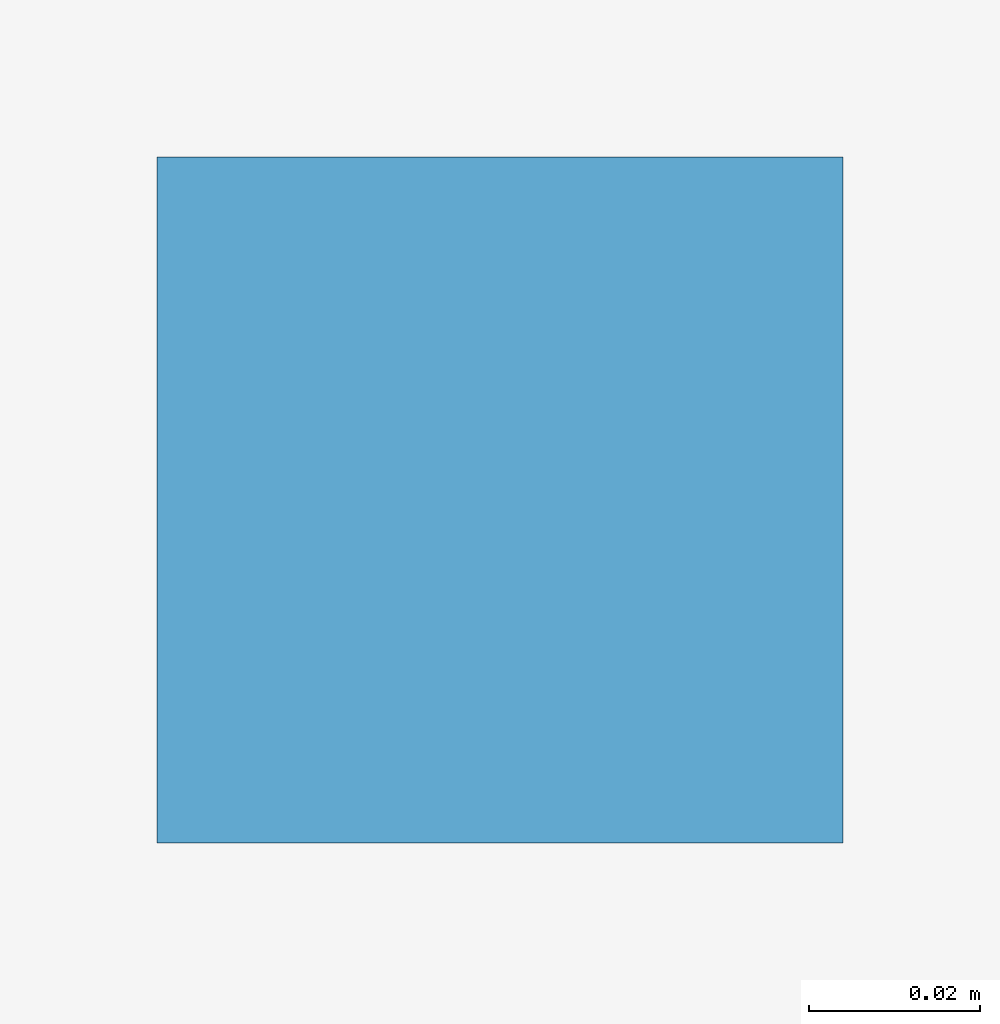
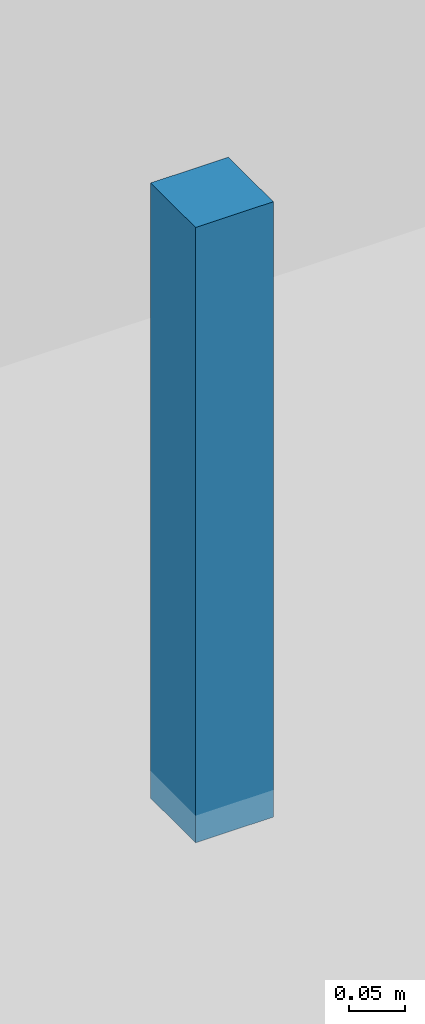
# One storey, part 12 of 17: 1 discrete accessory.
"""IFC4 building model written with IfcOpenShell, lengths in metres."""

from ifc_helpers import new_model, si_unit, direction, frame, origin, origin_2d, place, context, subcontext, project, spatial, rectangle, extrude, source, transform, mapped, material, type_object, element, save


model = new_model("IFC4")

# Units and contexts
model_context = context("Model", 3, precision=1e-05, world=origin(), true_north=direction((0.0, 1.0)))
body_context = subcontext(model_context, "Body", "Model", "MODEL_VIEW")
ifc_project = project(units=[si_unit("LENGTHUNIT", "METRE"), si_unit("AREAUNIT", "SQUARE_METRE"), si_unit("VOLUMEUNIT", "CUBIC_METRE"), si_unit("PLANEANGLEUNIT", "RADIAN"), si_unit("MASSUNIT", "GRAM", prefix="KILO")], contexts=[model_context])

# Site, building, storey
site_placement = place(None, origin())
site = spatial("IfcSite", under=ifc_project, at=site_placement, CompositionType="ELEMENT")
building_placement = place(site_placement, origin())
building = spatial("IfcBuilding", under=site, at=building_placement, Name="Giltprow Tower", CompositionType="ELEMENT")
storey_placement = place(building_placement, frame((0.0, 0.0, 137.699951171875)))
storey = spatial("IfcBuildingStorey", under=building, at=storey_placement, Name="L33", CompositionType="ELEMENT", Elevation=137.699951171875)

# Discrete accessory
ifc_material = material(Name="Structural steel Q355B", Category="steel")
discrete_accessory_type = type_object("IfcDiscreteAccessoryType", Name="ACC-CLG-HANGER", PredefinedType="BRACKET", material=ifc_material)
shared_shape = source(origin(), body_context, "Body", "SweptSolid", [
    extrude(rectangle(XDim=0.080078125, YDim=0.080078125, at=origin_2d()), origin(), (0.0, 0.0, 1.0), 0.669921875),
])
discrete_accessory_placement = place(storey_placement, frame((35.0, 36.199951171875, 2.6201171875), z_axis=(0.0, 0.0, 1.0), x_axis=(1.0, 0.0, 0.0)))
element("IfcDiscreteAccessory", 1, at=discrete_accessory_placement, inside=storey, type_object=discrete_accessory_type, Name="L33 Hotel Corridor Gypsum Ceiling Suspension Hanger", PredefinedType="BRACKET", context=body_context, shape_type="MappedRepresentation", body=[
    mapped(shared_shape, transform((0.0, 0.0, 0.0), x_axis=(1.0, 0.0, 0.0), y_axis=(0.0, 1.0, 0.0), z_axis=(0.0, 0.0, 1.0), scale=1.0)),
])

save(model, "model.ifc")
